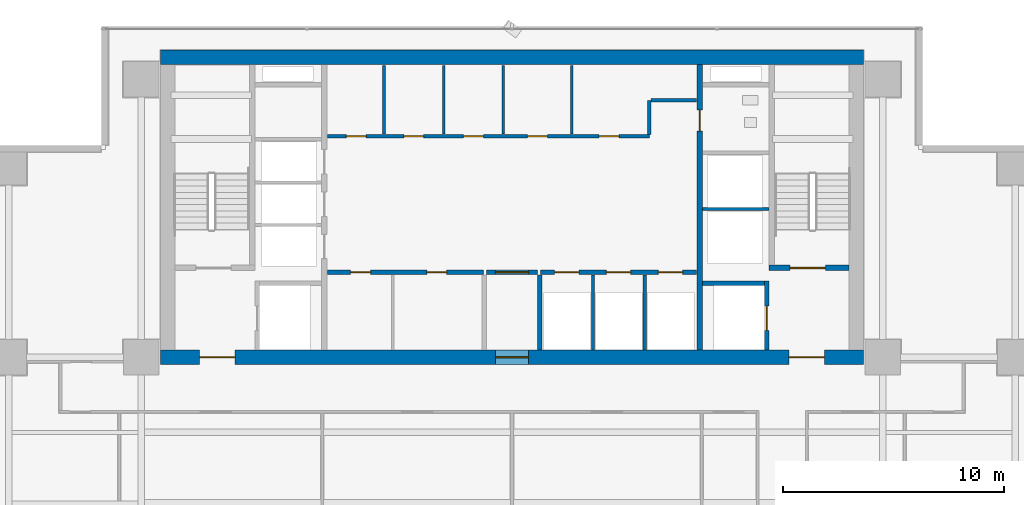
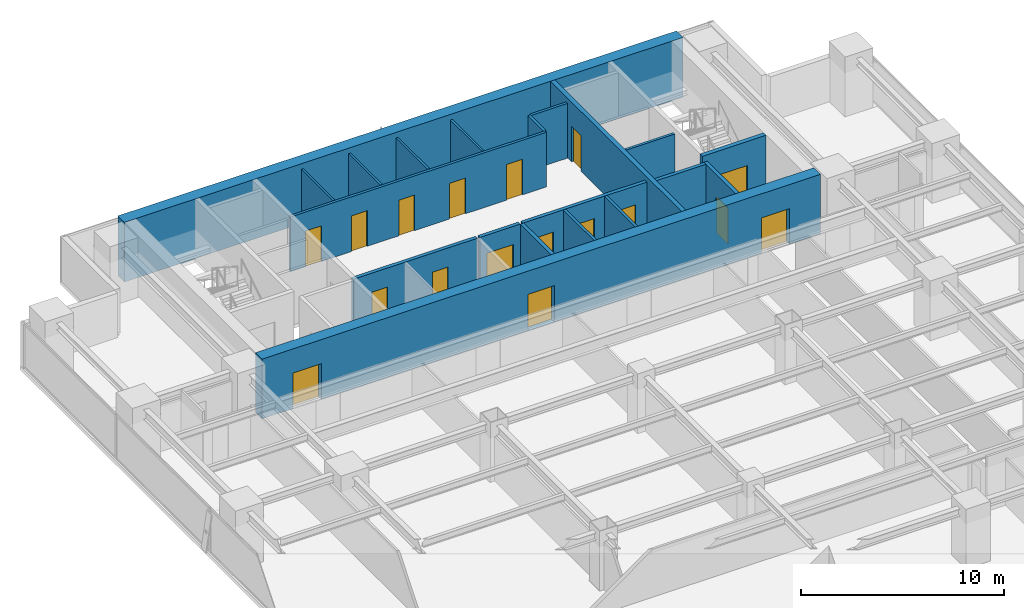
# One storey, part 22 of 28: 20 walls, 17 doors, 17 openings.
"""IFC4 building model written with IfcOpenShell, lengths in metres."""

from ifc_helpers import new_model, si_unit, direction, frame, frame_2d, origin, place, context, subcontext, project, spatial, rectangle, extrude, source, transform, mapped, material, layer, layer_set, type_object, element, fill, save


model = new_model("IFC4")

# Units and contexts
model_context = context("Model", 3, precision=1e-05, world=origin(), true_north=direction((0.0, 1.0)))
body_context = subcontext(model_context, "Body", "Model", "MODEL_VIEW")
ifc_project = project(units=[si_unit("LENGTHUNIT", "METRE"), si_unit("AREAUNIT", "SQUARE_METRE"), si_unit("VOLUMEUNIT", "CUBIC_METRE"), si_unit("PLANEANGLEUNIT", "RADIAN"), si_unit("MASSUNIT", "GRAM", prefix="KILO")], contexts=[model_context])

# Site, building, storey
site_placement = place(None, origin())
site = spatial("IfcSite", under=ifc_project, at=site_placement, CompositionType="ELEMENT")
building_placement = place(site_placement, origin())
building = spatial("IfcBuilding", under=site, at=building_placement, Name="Sumidabori Civic Tower", CompositionType="ELEMENT")
storey_placement = place(building_placement, frame((0.0, 0.0, 185.60009765625)))
storey = spatial("IfcBuildingStorey", under=building, at=storey_placement, Name="L48", CompositionType="ELEMENT", Elevation=185.60009765625)

# Walls
ifc_material_1 = material(Name="Concrete C50/60", Category="concrete")
ifc_layer_1 = layer(ifc_material_1, 0.199951171875, Name="Concrete C50/60")
ifc_layer_set_1 = layer_set([ifc_layer_1], Name="Concrete C50/60")
wall_type_1 = type_object("IfcWallType", Name="WL-SHAFT-200", PredefinedType="SHEAR", material=ifc_layer_set_1)
shared_shape_1 = source(origin(), body_context, "Body", "SweptSolid", [
    extrude(rectangle(XDim=2.824951171875, YDim=0.199951171875, at=frame_2d((1.41259765625, 0.0))), origin(), (0.0, 0.0, 1.0), 3.599853515625),
])
wall_1_placement = place(storey_placement, frame((8.625, 13.550048828125, 0.0), z_axis=(0.0, 0.0, 1.0), x_axis=(1.0, 0.0, 0.0)))
element("IfcWall", 1, at=wall_1_placement, inside=storey, type_object=wall_type_1, Name="Core Shear Wall L48 EL2-N", PredefinedType="SHEAR", context=body_context, shape_type="MappedRepresentation", body=[
    mapped(shared_shape_1, transform((0.0, 0.0, 0.0), x_axis=(1.0, 0.0, 0.0), y_axis=(0.0, 1.0, 0.0), z_axis=(0.0, 0.0, 1.0), scale=1.0)),
])
ifc_material_2 = material(Name="Concrete C60/75", Category="concrete")
ifc_layer_2 = layer(ifc_material_2, 0.64990234375, Name="Concrete C60/75")
ifc_layer_set_2 = layer_set([ifc_layer_2], Name="Concrete C60/75")
wall_type_2 = type_object("IfcWallType", Name="WL-CORE-650", PredefinedType="SHEAR", material=ifc_layer_set_2)
shared_shape_2 = source(origin(), body_context, "Body", "SweptSolid", [
    extrude(rectangle(XDim=31.85009765625, YDim=0.64990234375, at=frame_2d((15.925048828125, 0.0))), origin(), (0.0, 0.0, 1.0), 3.599853515625),
])
wall_2_placement = place(storey_placement, frame((-15.925048828125, 23.800048828125, 0.0), z_axis=(0.0, 0.0, 1.0), x_axis=(1.0, 0.0, 0.0)))
element("IfcWall", 2, at=wall_2_placement, inside=storey, type_object=wall_type_2, Name="Core Shear Wall L48 N", PredefinedType="SHEAR", context=body_context, shape_type="MappedRepresentation", body=[
    mapped(shared_shape_2, transform((0.0, 0.0, 0.0), x_axis=(1.0, 0.0, 0.0), y_axis=(0.0, 1.0, 0.0), z_axis=(0.0, 0.0, 1.0), scale=1.0)),
])

# Wall, openings, doors
wall_3_placement = place(storey_placement, frame((-15.925048828125, 10.199951171875, 0.0), z_axis=(0.0, 0.0, 1.0), x_axis=(1.0, 0.0, 0.0)))
wall_3 = element("IfcWall", 3, at=wall_3_placement, inside=storey, type_object=wall_type_2, Name="Core Shear Wall L48 S", PredefinedType="SHEAR", context=body_context, shape_type="MappedRepresentation", body=[
    mapped(shared_shape_2, transform((0.0, 0.0, 0.0), x_axis=(1.0, 0.0, 0.0), y_axis=(0.0, 1.0, 0.0), z_axis=(0.0, 0.0, 1.0), scale=1.0)),
])
opening_1_placement = place(wall_3_placement, frame((1.77490234375, 0.0, 0.0)))
opening_1 = element("IfcOpeningElement", 4, at=opening_1_placement, cuts=wall_3, Name="Opening DR-FD4", PredefinedType="OPENING", context=body_context, shape_type="SweptSolid", body=[
    extrude(rectangle(XDim=1.60009765625, YDim=2.14990234375, at=frame_2d((0.800048828125, 1.074951171875))), frame((0.0, 0.3369140625, 0.0), z_axis=(0.0, -1.0, 0.0), x_axis=(1.0, 0.0, 0.0)), (0.0, 0.0, 1.0), 0.673828125),
])
opening_2_placement = place(wall_3_placement, frame((28.47509765625, 0.0, 0.0)))
opening_2 = element("IfcOpeningElement", 5, at=opening_2_placement, cuts=wall_3, Name="Opening DR-FD4", PredefinedType="OPENING", context=body_context, shape_type="SweptSolid", body=[
    extrude(rectangle(XDim=1.60009765625, YDim=2.14990234375, at=frame_2d((0.800048828125, 1.074951171875))), frame((0.0, 0.3369140625, 0.0), z_axis=(0.0, -1.0, 0.0), x_axis=(1.0, 0.0, 0.0)), (0.0, 0.0, 1.0), 0.673828125),
])
opening_3_placement = place(wall_3_placement, frame((15.175048828125, 0.0, 0.0)))
opening_3 = element("IfcOpeningElement", 6, at=opening_3_placement, cuts=wall_3, Name="Opening DR-FD3", PredefinedType="OPENING", context=body_context, shape_type="SweptSolid", body=[
    extrude(rectangle(XDim=1.5, YDim=2.199951171875, at=frame_2d((0.75, 1.10009765625))), frame((0.0, 0.3369140625, 0.0), z_axis=(0.0, -1.0, 0.0), x_axis=(1.0, 0.0, 0.0)), (0.0, 0.0, 1.0), 0.673828125),
])
ifc_material_3 = material(Name="Steel SN490", Category="steel")
door_type_1 = type_object("IfcDoorType", Name="DR-FD4", OperationType="DOUBLE_DOOR_SINGLE_SWING", PredefinedType="DOOR", material=ifc_material_3)
shared_shape_3 = source(origin(), body_context, "Body", "SweptSolid", [
    extrude(rectangle(XDim=1.60009765625, YDim=2.14990234375, at=frame_2d((0.800048828125, 1.074951171875))), frame((0.0, 0.02490234375, 0.0), z_axis=(0.0, -1.0, 0.0), x_axis=(1.0, 0.0, 0.0)), (0.0, 0.0, 1.0), 0.050048828125),
])
door_1_placement = place(opening_1_placement, origin())
door_1 = element("IfcDoor", 7, at=door_1_placement, inside=storey, type_object=door_type_1, Name="Door DR:L48:ELOB-W", OperationType="DOUBLE_DOOR_SINGLE_SWING", OverallHeight=2.14990234375, OverallWidth=1.60009765625, PredefinedType="DOOR", context=body_context, shape_type="MappedRepresentation", body=[
    mapped(shared_shape_3, transform((0.0, 0.0, 0.0), x_axis=(1.0, 0.0, 0.0), y_axis=(0.0, 1.0, 0.0), z_axis=(0.0, 0.0, 1.0), scale=1.0)),
])
fill(opening_1, door_1)
door_2_placement = place(opening_2_placement, origin())
door_2 = element("IfcDoor", 8, at=door_2_placement, inside=storey, type_object=door_type_1, Name="Door DR:L48:ELOB-E", OperationType="DOUBLE_DOOR_SINGLE_SWING", OverallHeight=2.14990234375, OverallWidth=1.60009765625, PredefinedType="DOOR", context=body_context, shape_type="MappedRepresentation", body=[
    mapped(shared_shape_3, transform((0.0, 0.0, 0.0), x_axis=(1.0, 0.0, 0.0), y_axis=(0.0, 1.0, 0.0), z_axis=(0.0, 0.0, 1.0), scale=1.0)),
])
fill(opening_2, door_2)
door_type_2 = type_object("IfcDoorType", Name="DR-FD-DBL", OperationType="DOUBLE_DOOR_SINGLE_SWING", PredefinedType="DOOR", material=ifc_material_3)
shared_shape_4 = source(origin(), body_context, "Body", "SweptSolid", [
    extrude(rectangle(XDim=1.5, YDim=2.199951171875, at=frame_2d((0.75, 1.10009765625))), frame((0.0, 0.02490234375, 0.0), z_axis=(0.0, -1.0, 0.0), x_axis=(1.0, 0.0, 0.0)), (0.0, 0.0, 1.0), 0.050048828125),
])
door_3_placement = place(opening_3_placement, origin())
door_3 = element("IfcDoor", 9, at=door_3_placement, inside=storey, type_object=door_type_2, Name="Door DR:L48:THROAT-OUT", OperationType="DOUBLE_DOOR_SINGLE_SWING", OverallHeight=2.199951171875, OverallWidth=1.5, PredefinedType="DOOR", context=body_context, shape_type="MappedRepresentation", body=[
    mapped(shared_shape_4, transform((0.0, 0.0, 0.0), x_axis=(1.0, 0.0, 0.0), y_axis=(0.0, 1.0, 0.0), z_axis=(0.0, 0.0, 1.0), scale=1.0)),
])
fill(opening_3, door_3)

# Wall, opening, door
ifc_layer_3 = layer(ifc_material_1, 0.25, Name="Concrete C50/60")
ifc_layer_set_3 = layer_set([ifc_layer_3], Name="Concrete C50/60")
wall_type_3 = type_object("IfcWallType", Name="WL-SHAFT-250", PredefinedType="SHEAR", material=ifc_layer_set_3)
shared_shape_5 = source(origin(), body_context, "Body", "SweptSolid", [
    extrude(rectangle(XDim=12.9501953125, YDim=0.25, at=frame_2d((6.47509765625, 0.0))), origin(), (0.0, 0.0, 1.0), 3.599853515625),
])
wall_4_placement = place(storey_placement, frame((8.5, 10.52490234375, 0.0), z_axis=(0.0, 0.0, 1.0), x_axis=(0.0, 1.0, 0.0)))
wall_4 = element("IfcWall", 10, at=wall_4_placement, inside=storey, type_object=wall_type_3, Name="Core Shear Wall L48 WEB-E", PredefinedType="SHEAR", context=body_context, shape_type="MappedRepresentation", body=[
    mapped(shared_shape_5, transform((0.0, 0.0, 0.0), x_axis=(1.0, 0.0, 0.0), y_axis=(0.0, 1.0, 0.0), z_axis=(0.0, 0.0, 1.0), scale=1.0)),
])
opening_4_placement = place(wall_4_placement, frame((9.925048828125, 0.0, 0.0)))
opening_4 = element("IfcOpeningElement", 11, at=opening_4_placement, cuts=wall_4, Name="Opening DR-2", PredefinedType="OPENING", context=body_context, shape_type="SweptSolid", body=[
    extrude(rectangle(XDim=0.949951171875, YDim=2.14990234375, at=frame_2d((0.47509765625, 1.074951171875))), frame((0.0, 0.136962890625, 0.0), z_axis=(0.0, -1.0, 0.0), x_axis=(1.0, 0.0, 0.0)), (0.0, 0.0, 1.0), 0.27392578125),
])
ifc_material_4 = material(Name="Japanese Hinoki Timber", Category="wood")
door_type_3 = type_object("IfcDoorType", Name="DR-INT-950", OperationType="NOTDEFINED", PredefinedType="DOOR", material=ifc_material_4)
shared_shape_6 = source(origin(), body_context, "Body", "SweptSolid", [
    extrude(rectangle(XDim=0.949951171875, YDim=2.14990234375, at=frame_2d((0.47509765625, 1.074951171875))), frame((0.0, 0.02490234375, 0.0), z_axis=(0.0, -1.0, 0.0), x_axis=(1.0, 0.0, 0.0)), (0.0, 0.0, 1.0), 0.050048828125),
])
door_4_placement = place(opening_4_placement, origin())
door_4 = element("IfcDoor", 12, at=door_4_placement, inside=storey, type_object=door_type_3, Name="Door DR:L48:WC-ACC", OperationType="SINGLE_SWING_RIGHT", OverallHeight=2.14990234375, OverallWidth=0.949951171875, PredefinedType="DOOR", context=body_context, shape_type="MappedRepresentation", body=[
    mapped(shared_shape_6, transform((0.0, 0.0, 0.0), x_axis=(1.0, 0.0, 0.0), y_axis=(0.0, 1.0, 0.0), z_axis=(0.0, 0.0, 1.0), scale=1.0)),
])
fill(opening_4, door_4)

shared_shape_7 = source(origin(), body_context, "Body", "SweptSolid", [
    extrude(rectangle(XDim=3.6298828125, YDim=0.25, at=frame_2d((1.81494140625, 0.0))), origin(), (0.0, 0.0, 1.0), 3.599853515625),
])
wall_5_placement = place(storey_placement, frame((11.64501953125, 14.25, 0.0), z_axis=(0.0, 0.0, 1.0), x_axis=(1.0, 0.0, 0.0)))
wall_5 = element("IfcWall", 13, at=wall_5_placement, inside=storey, type_object=wall_type_3, Name="Core Shear Wall L48 ST2-S", PredefinedType="SHEAR", context=body_context, shape_type="MappedRepresentation", body=[
    mapped(shared_shape_7, transform((0.0, 0.0, 0.0), x_axis=(1.0, 0.0, 0.0), y_axis=(0.0, 1.0, 0.0), z_axis=(0.0, 0.0, 1.0), scale=1.0)),
])
opening_5_placement = place(wall_5_placement, frame((0.949951171875, 0.0, 0.0)))
opening_5 = element("IfcOpeningElement", 14, at=opening_5_placement, cuts=wall_5, Name="Opening DR-FD4", PredefinedType="OPENING", context=body_context, shape_type="SweptSolid", body=[
    extrude(rectangle(XDim=1.60009765625, YDim=2.14990234375, at=frame_2d((0.800048828125, 1.074951171875))), frame((0.0, 0.136962890625, 0.0), z_axis=(0.0, -1.0, 0.0), x_axis=(1.0, 0.0, 0.0)), (0.0, 0.0, 1.0), 0.27392578125),
])
door_5_placement = place(opening_5_placement, origin())
door_5 = element("IfcDoor", 15, at=door_5_placement, inside=storey, type_object=door_type_1, Name="Door DR:L48:ST2", OperationType="DOUBLE_DOOR_SINGLE_SWING", OverallHeight=2.14990234375, OverallWidth=1.60009765625, PredefinedType="DOOR", context=body_context, shape_type="MappedRepresentation", body=[
    mapped(shared_shape_3, transform((0.0, 0.0, 0.0), x_axis=(1.0, 0.0, 0.0), y_axis=(0.0, 1.0, 0.0), z_axis=(0.0, 0.0, 1.0), scale=1.0)),
])
fill(opening_5, door_5)

shared_shape_8 = source(origin(), body_context, "Body", "SweptSolid", [
    extrude(rectangle(XDim=3.125, YDim=0.199951171875, at=frame_2d((1.5625, 0.0))), origin(), (0.0, 0.0, 1.0), 3.599853515625),
])
wall_6_placement = place(storey_placement, frame((11.550048828125, 10.52490234375, 0.0), z_axis=(0.0, 0.0, 1.0), x_axis=(0.0, 1.0, 0.0)))
wall_6 = element("IfcWall", 16, at=wall_6_placement, inside=storey, type_object=wall_type_1, Name="Core Shear Wall L48 EL2-E", PredefinedType="SHEAR", context=body_context, shape_type="MappedRepresentation", body=[
    mapped(shared_shape_8, transform((0.0, 0.0, 0.0), x_axis=(1.0, 0.0, 0.0), y_axis=(0.0, 1.0, 0.0), z_axis=(0.0, 0.0, 1.0), scale=1.0)),
])
opening_6_placement = place(wall_6_placement, frame((0.89990234375, 0.0, 0.0)))
opening_6 = element("IfcOpeningElement", 17, at=opening_6_placement, cuts=wall_6, Name="Opening LD-2", PredefinedType="OPENING", context=body_context, shape_type="SweptSolid", body=[
    extrude(rectangle(XDim=1.10009765625, YDim=2.14990234375, at=frame_2d((0.550048828125, 1.074951171875))), frame((0.0, 0.11181640625, 0.0), z_axis=(0.0, -1.0, 0.0), x_axis=(1.0, 0.0, 0.0)), (0.0, 0.0, 1.0), 0.223876953125),
])
ifc_material_5 = material(Name="Stainless Steel Hairline Finish", Category="steel")
door_type_4 = type_object("IfcDoorType", Name="DR-LD2", OperationType="DOUBLE_DOOR_SLIDING", PredefinedType="DOOR", material=ifc_material_5)
shared_shape_9 = source(origin(), body_context, "Body", "SweptSolid", [
    extrude(rectangle(XDim=1.10009765625, YDim=2.14990234375, at=frame_2d((0.550048828125, 1.074951171875))), frame((0.0, 0.02490234375, 0.0), z_axis=(0.0, -1.0, 0.0), x_axis=(1.0, 0.0, 0.0)), (0.0, 0.0, 1.0), 0.050048828125),
])
door_6_placement = place(opening_6_placement, origin())
door_6 = element("IfcDoor", 18, at=door_6_placement, inside=storey, type_object=door_type_4, Name="Door DR:L48:LD-EL2", OperationType="DOUBLE_DOOR_SLIDING", OverallHeight=2.14990234375, OverallWidth=1.10009765625, PredefinedType="DOOR", context=body_context, shape_type="MappedRepresentation", body=[
    mapped(shared_shape_9, transform((0.0, 0.0, 0.0), x_axis=(1.0, 0.0, 0.0), y_axis=(0.0, 1.0, 0.0), z_axis=(0.0, 0.0, 1.0), scale=1.0)),
])
fill(opening_6, door_6)

# Wall
ifc_material_6 = material(Name="Gypsum Plasterboard Acoustic Partition")
ifc_layer_4 = layer(ifc_material_6, 0.14990234375, Name="Gypsum Plasterboard Acoustic Partition")
ifc_layer_set_4 = layer_set([ifc_layer_4], Name="Gypsum Plasterboard Acoustic Partition")
wall_type_4 = type_object("IfcWallType", Name="WL-PART-150", PredefinedType="PARTITIONING", material=ifc_layer_set_4)
shared_shape_10 = source(origin(), body_context, "Body", "SweptSolid", [
    extrude(rectangle(XDim=3.010009765625, YDim=0.14990234375, at=frame_2d((1.5048828125, 0.0))), origin(), (0.0, 0.0, 1.0), 3.2998046875),
])
wall_7_placement = place(storey_placement, frame((8.6298828125, 16.919921875, 0.0), z_axis=(0.0, 0.0, 1.0), x_axis=(1.0, 0.0, 0.0)))
element("IfcWall", 19, at=wall_7_placement, inside=storey, type_object=wall_type_4, Name="Interior Partition WL:L48:DIV-OBS1", PredefinedType="PARTITIONING", context=body_context, shape_type="MappedRepresentation", body=[
    mapped(shared_shape_10, transform((0.0, 0.0, 0.0), x_axis=(1.0, 0.0, 0.0), y_axis=(0.0, 1.0, 0.0), z_axis=(0.0, 0.0, 1.0), scale=1.0)),
])

# Wall, openings, doors
ifc_material_7 = material(Name="Gypsum Plasterboard Fire Partition")
ifc_layer_5 = layer(ifc_material_7, 0.199951171875, Name="Gypsum Plasterboard Fire Partition")
ifc_layer_set_5 = layer_set([ifc_layer_5], Name="Gypsum Plasterboard Fire Partition")
wall_type_5 = type_object("IfcWallType", Name="WL-PART-FIRE", PredefinedType="PARTITIONING", material=ifc_layer_set_5)
shared_shape_11 = source(origin(), body_context, "Body", "SweptSolid", [
    extrude(rectangle(XDim=7.070068359375, YDim=0.199951171875, at=frame_2d((3.53515625, 0.0))), origin(), (0.0, 0.0, 1.0), 3.2998046875),
])
wall_8_placement = place(storey_placement, frame((-8.3701171875, 14.050048828125, 0.0), z_axis=(0.0, 0.0, 1.0), x_axis=(1.0, 0.0, 0.0)))
wall_8 = element("IfcWall", 20, at=wall_8_placement, inside=storey, type_object=wall_type_5, Name="Interior Partition WL:L48:CBAND-SW", PredefinedType="PARTITIONING", context=body_context, shape_type="MappedRepresentation", body=[
    mapped(shared_shape_11, transform((0.0, 0.0, 0.0), x_axis=(1.0, 0.0, 0.0), y_axis=(0.0, 1.0, 0.0), z_axis=(0.0, 0.0, 1.0), scale=1.0)),
])
opening_7_placement = place(wall_8_placement, frame((1.06005859375, 0.0, 0.0)))
opening_7 = element("IfcOpeningElement", 21, at=opening_7_placement, cuts=wall_8, Name="Opening DR-1", PredefinedType="OPENING", context=body_context, shape_type="SweptSolid", body=[
    extrude(rectangle(XDim=0.89990234375, YDim=2.14990234375, at=frame_2d((0.449951171875, 1.074951171875))), frame((0.0, 0.11181640625, 0.0), z_axis=(0.0, -1.0, 0.0), x_axis=(1.0, 0.0, 0.0)), (0.0, 0.0, 1.0), 0.223876953125),
])
opening_8_placement = place(wall_8_placement, frame((4.510009765625, 0.0, 0.0)))
opening_8 = element("IfcOpeningElement", 22, at=opening_8_placement, cuts=wall_8, Name="Opening DR-1", PredefinedType="OPENING", context=body_context, shape_type="SweptSolid", body=[
    extrude(rectangle(XDim=0.89990234375, YDim=2.14990234375, at=frame_2d((0.449951171875, 1.074951171875))), frame((0.0, 0.11181640625, 0.0), z_axis=(0.0, -1.0, 0.0), x_axis=(1.0, 0.0, 0.0)), (0.0, 0.0, 1.0), 0.223876953125),
])
door_type_5 = type_object("IfcDoorType", Name="DR-INT-900", OperationType="NOTDEFINED", PredefinedType="DOOR", material=ifc_material_4)
shared_shape_12 = source(origin(), body_context, "Body", "SweptSolid", [
    extrude(rectangle(XDim=0.89990234375, YDim=2.14990234375, at=frame_2d((0.449951171875, 1.074951171875))), frame((0.0, 0.02490234375, 0.0), z_axis=(0.0, -1.0, 0.0), x_axis=(1.0, 0.0, 0.0)), (0.0, 0.0, 1.0), 0.050048828125),
])
door_7_placement = place(opening_7_placement, origin())
door_7 = element("IfcDoor", 23, at=door_7_placement, inside=storey, type_object=door_type_5, Name="Door DR:L48:REC-B1A", OperationType="SINGLE_SWING_LEFT", OverallHeight=2.14990234375, OverallWidth=0.89990234375, PredefinedType="DOOR", context=body_context, shape_type="MappedRepresentation", body=[
    mapped(shared_shape_12, transform((0.0, 0.0, 0.0), x_axis=(1.0, 0.0, 0.0), y_axis=(0.0, 1.0, 0.0), z_axis=(0.0, 0.0, 1.0), scale=1.0)),
])
fill(opening_7, door_7)
door_8_placement = place(opening_8_placement, origin())
door_8 = element("IfcDoor", 24, at=door_8_placement, inside=storey, type_object=door_type_5, Name="Door DR:L48:REC-B1B", OperationType="SINGLE_SWING_RIGHT", OverallHeight=2.14990234375, OverallWidth=0.89990234375, PredefinedType="DOOR", context=body_context, shape_type="MappedRepresentation", body=[
    mapped(shared_shape_12, transform((0.0, 0.0, 0.0), x_axis=(1.0, 0.0, 0.0), y_axis=(0.0, 1.0, 0.0), z_axis=(0.0, 0.0, 1.0), scale=1.0)),
])
fill(opening_8, door_8)

wall_9_placement = place(storey_placement, frame((1.300048828125, 14.050048828125, 0.0), z_axis=(0.0, 0.0, 1.0), x_axis=(1.0, 0.0, 0.0)))
wall_9 = element("IfcWall", 25, at=wall_9_placement, inside=storey, type_object=wall_type_5, Name="Interior Partition WL:L48:CBAND-SE", PredefinedType="PARTITIONING", context=body_context, shape_type="MappedRepresentation", body=[
    mapped(shared_shape_11, transform((0.0, 0.0, 0.0), x_axis=(1.0, 0.0, 0.0), y_axis=(0.0, 1.0, 0.0), z_axis=(0.0, 0.0, 1.0), scale=1.0)),
])
opening_9_placement = place(wall_9_placement, frame((0.6298828125, 0.0, 0.0)))
opening_9 = element("IfcOpeningElement", 26, at=opening_9_placement, cuts=wall_9, Name="Opening LD-1", PredefinedType="OPENING", context=body_context, shape_type="SweptSolid", body=[
    extrude(rectangle(XDim=1.10009765625, YDim=2.14990234375, at=frame_2d((0.550048828125, 1.074951171875))), frame((0.0, 0.11181640625, 0.0), z_axis=(0.0, -1.0, 0.0), x_axis=(1.0, 0.0, 0.0)), (0.0, 0.0, 1.0), 0.223876953125),
])
opening_10_placement = place(wall_9_placement, frame((2.97998046875, 0.0, 0.0)))
opening_10 = element("IfcOpeningElement", 27, at=opening_10_placement, cuts=wall_9, Name="Opening LD-1", PredefinedType="OPENING", context=body_context, shape_type="SweptSolid", body=[
    extrude(rectangle(XDim=1.10009765625, YDim=2.14990234375, at=frame_2d((0.550048828125, 1.074951171875))), frame((0.0, 0.11181640625, 0.0), z_axis=(0.0, -1.0, 0.0), x_axis=(1.0, 0.0, 0.0)), (0.0, 0.0, 1.0), 0.223876953125),
])
opening_11_placement = place(wall_9_placement, frame((5.330078125, 0.0, 0.0)))
opening_11 = element("IfcOpeningElement", 28, at=opening_11_placement, cuts=wall_9, Name="Opening LD-1", PredefinedType="OPENING", context=body_context, shape_type="SweptSolid", body=[
    extrude(rectangle(XDim=1.10009765625, YDim=2.14990234375, at=frame_2d((0.550048828125, 1.074951171875))), frame((0.0, 0.11181640625, 0.0), z_axis=(0.0, -1.0, 0.0), x_axis=(1.0, 0.0, 0.0)), (0.0, 0.0, 1.0), 0.223876953125),
])
door_type_6 = type_object("IfcDoorType", Name="DR-LD1", OperationType="DOUBLE_DOOR_SLIDING", PredefinedType="DOOR", material=ifc_material_5)
door_9_placement = place(opening_9_placement, origin())
door_9 = element("IfcDoor", 29, at=door_9_placement, inside=storey, type_object=door_type_6, Name="Door DR:L48:LD-PLM1", OperationType="DOUBLE_DOOR_SLIDING", OverallHeight=2.14990234375, OverallWidth=1.10009765625, PredefinedType="DOOR", context=body_context, shape_type="MappedRepresentation", body=[
    mapped(shared_shape_9, transform((0.0, 0.0, 0.0), x_axis=(1.0, 0.0, 0.0), y_axis=(0.0, 1.0, 0.0), z_axis=(0.0, 0.0, 1.0), scale=1.0)),
])
fill(opening_9, door_9)
door_10_placement = place(opening_10_placement, origin())
door_10 = element("IfcDoor", 30, at=door_10_placement, inside=storey, type_object=door_type_6, Name="Door DR:L48:LD-PLM2", OperationType="DOUBLE_DOOR_SLIDING", OverallHeight=2.14990234375, OverallWidth=1.10009765625, PredefinedType="DOOR", context=body_context, shape_type="MappedRepresentation", body=[
    mapped(shared_shape_9, transform((0.0, 0.0, 0.0), x_axis=(1.0, 0.0, 0.0), y_axis=(0.0, 1.0, 0.0), z_axis=(0.0, 0.0, 1.0), scale=1.0)),
])
fill(opening_10, door_10)
door_11_placement = place(opening_11_placement, origin())
door_11 = element("IfcDoor", 31, at=door_11_placement, inside=storey, type_object=door_type_6, Name="Door DR:L48:LD-PLM3", OperationType="DOUBLE_DOOR_SLIDING", OverallHeight=2.14990234375, OverallWidth=1.10009765625, PredefinedType="DOOR", context=body_context, shape_type="MappedRepresentation", body=[
    mapped(shared_shape_9, transform((0.0, 0.0, 0.0), x_axis=(1.0, 0.0, 0.0), y_axis=(0.0, 1.0, 0.0), z_axis=(0.0, 0.0, 1.0), scale=1.0)),
])
fill(opening_11, door_11)

# Wall
shared_shape_13 = source(origin(), body_context, "Body", "SweptSolid", [
    extrude(rectangle(XDim=3.4150390625, YDim=0.199951171875, at=frame_2d((1.70751953125, 0.0))), origin(), (0.0, 0.0, 1.0), 3.2998046875),
])
wall_10_placement = place(storey_placement, frame((1.25, 10.52490234375, 0.0), z_axis=(0.0, 0.0, 1.0), x_axis=(0.0, 1.0, 0.0)))
element("IfcWall", 32, at=wall_10_placement, inside=storey, type_object=wall_type_5, Name="Interior Partition WL:L48:THROAT-E", PredefinedType="PARTITIONING", context=body_context, shape_type="MappedRepresentation", body=[
    mapped(shared_shape_13, transform((0.0, 0.0, 0.0), x_axis=(1.0, 0.0, 0.0), y_axis=(0.0, 1.0, 0.0), z_axis=(0.0, 0.0, 1.0), scale=1.0)),
])

# Wall, opening, door
shared_shape_14 = source(origin(), body_context, "Body", "SweptSolid", [
    extrude(rectangle(XDim=2.2998046875, YDim=0.199951171875, at=frame_2d((1.14990234375, 0.0))), origin(), (0.0, 0.0, 1.0), 3.2998046875),
])
wall_11_placement = place(storey_placement, frame((-1.14990234375, 14.050048828125, 0.0), z_axis=(0.0, 0.0, 1.0), x_axis=(1.0, 0.0, 0.0)))
wall_11 = element("IfcWall", 33, at=wall_11_placement, inside=storey, type_object=wall_type_5, Name="Interior Partition WL:L48:THROAT-N", PredefinedType="PARTITIONING", context=body_context, shape_type="MappedRepresentation", body=[
    mapped(shared_shape_14, transform((0.0, 0.0, 0.0), x_axis=(1.0, 0.0, 0.0), y_axis=(0.0, 1.0, 0.0), z_axis=(0.0, 0.0, 1.0), scale=1.0)),
])
opening_12_placement = place(wall_11_placement, frame((0.39990234375, 0.0, 0.0)))
opening_12 = element("IfcOpeningElement", 34, at=opening_12_placement, cuts=wall_11, Name="Opening DR-FD3", PredefinedType="OPENING", context=body_context, shape_type="SweptSolid", body=[
    extrude(rectangle(XDim=1.5, YDim=2.199951171875, at=frame_2d((0.75, 1.10009765625))), frame((0.0, 0.11181640625, 0.0), z_axis=(0.0, -1.0, 0.0), x_axis=(1.0, 0.0, 0.0)), (0.0, 0.0, 1.0), 0.223876953125),
])
door_12_placement = place(opening_12_placement, origin())
door_12 = element("IfcDoor", 35, at=door_12_placement, inside=storey, type_object=door_type_2, Name="Door DR:L48:THROAT-IN", OperationType="DOUBLE_DOOR_SINGLE_SWING", OverallHeight=2.199951171875, OverallWidth=1.5, PredefinedType="DOOR", context=body_context, shape_type="MappedRepresentation", body=[
    mapped(shared_shape_4, transform((0.0, 0.0, 0.0), x_axis=(1.0, 0.0, 0.0), y_axis=(0.0, 1.0, 0.0), z_axis=(0.0, 0.0, 1.0), scale=1.0)),
])
fill(opening_12, door_12)

# Wall, openings, doors
shared_shape_15 = source(origin(), body_context, "Body", "SweptSolid", [
    extrude(rectangle(XDim=14.590087890625, YDim=0.14990234375, at=frame_2d((7.294921875, 0.0))), origin(), (0.0, 0.0, 1.0), 3.2998046875),
])
wall_12_placement = place(storey_placement, frame((-8.3701171875, 20.219970703125, 0.0), z_axis=(0.0, 0.0, 1.0), x_axis=(1.0, 0.0, 0.0)))
wall_12 = element("IfcWall", 36, at=wall_12_placement, inside=storey, type_object=wall_type_4, Name="Interior Partition WL:L48:CBAND-M", PredefinedType="PARTITIONING", context=body_context, shape_type="MappedRepresentation", body=[
    mapped(shared_shape_15, transform((0.0, 0.0, 0.0), x_axis=(1.0, 0.0, 0.0), y_axis=(0.0, 1.0, 0.0), z_axis=(0.0, 0.0, 1.0), scale=1.0)),
])
opening_13_placement = place(wall_12_placement, frame((0.860107421875, 0.0, 0.0)))
opening_13 = element("IfcOpeningElement", 37, at=opening_13_placement, cuts=wall_12, Name="Opening DR-1", PredefinedType="OPENING", context=body_context, shape_type="SweptSolid", body=[
    extrude(rectangle(XDim=0.89990234375, YDim=2.14990234375, at=frame_2d((0.449951171875, 1.074951171875))), frame((0.0, 0.0869140625, 0.0), z_axis=(0.0, -1.0, 0.0), x_axis=(1.0, 0.0, 0.0)), (0.0, 0.0, 1.0), 0.173828125),
])
opening_14_placement = place(wall_12_placement, frame((3.469970703125, 0.0, 0.0)))
opening_14 = element("IfcOpeningElement", 38, at=opening_14_placement, cuts=wall_12, Name="Opening DR-1", PredefinedType="OPENING", context=body_context, shape_type="SweptSolid", body=[
    extrude(rectangle(XDim=0.89990234375, YDim=2.14990234375, at=frame_2d((0.449951171875, 1.074951171875))), frame((0.0, 0.0869140625, 0.0), z_axis=(0.0, -1.0, 0.0), x_axis=(1.0, 0.0, 0.0)), (0.0, 0.0, 1.0), 0.173828125),
])
opening_15_placement = place(wall_12_placement, frame((6.169921875, 0.0, 0.0)))
opening_15 = element("IfcOpeningElement", 39, at=opening_15_placement, cuts=wall_12, Name="Opening DR-1", PredefinedType="OPENING", context=body_context, shape_type="SweptSolid", body=[
    extrude(rectangle(XDim=0.89990234375, YDim=2.14990234375, at=frame_2d((0.449951171875, 1.074951171875))), frame((0.0, 0.0869140625, 0.0), z_axis=(0.0, -1.0, 0.0), x_axis=(1.0, 0.0, 0.0)), (0.0, 0.0, 1.0), 0.173828125),
])
opening_16_placement = place(wall_12_placement, frame((9.070068359375, 0.0, 0.0)))
opening_16 = element("IfcOpeningElement", 40, at=opening_16_placement, cuts=wall_12, Name="Opening DR-1", PredefinedType="OPENING", context=body_context, shape_type="SweptSolid", body=[
    extrude(rectangle(XDim=0.89990234375, YDim=2.14990234375, at=frame_2d((0.449951171875, 1.074951171875))), frame((0.0, 0.0869140625, 0.0), z_axis=(0.0, -1.0, 0.0), x_axis=(1.0, 0.0, 0.0)), (0.0, 0.0, 1.0), 0.173828125),
])
opening_17_placement = place(wall_12_placement, frame((12.320068359375, 0.0, 0.0)))
opening_17 = element("IfcOpeningElement", 41, at=opening_17_placement, cuts=wall_12, Name="Opening DR-1", PredefinedType="OPENING", context=body_context, shape_type="SweptSolid", body=[
    extrude(rectangle(XDim=0.89990234375, YDim=2.14990234375, at=frame_2d((0.449951171875, 1.074951171875))), frame((0.0, 0.0869140625, 0.0), z_axis=(0.0, -1.0, 0.0), x_axis=(1.0, 0.0, 0.0)), (0.0, 0.0, 1.0), 0.173828125),
])
door_13_placement = place(opening_13_placement, origin())
door_13 = element("IfcDoor", 42, at=door_13_placement, inside=storey, type_object=door_type_5, Name="Door DR:L48:CB-1", OperationType="SINGLE_SWING_LEFT", OverallHeight=2.14990234375, OverallWidth=0.89990234375, PredefinedType="DOOR", context=body_context, shape_type="MappedRepresentation", body=[
    mapped(shared_shape_12, transform((0.0, 0.0, 0.0), x_axis=(1.0, 0.0, 0.0), y_axis=(0.0, 1.0, 0.0), z_axis=(0.0, 0.0, 1.0), scale=1.0)),
])
fill(opening_13, door_13)
door_14_placement = place(opening_14_placement, origin())
door_14 = element("IfcDoor", 43, at=door_14_placement, inside=storey, type_object=door_type_5, Name="Door DR:L48:CB-2", OperationType="SINGLE_SWING_RIGHT", OverallHeight=2.14990234375, OverallWidth=0.89990234375, PredefinedType="DOOR", context=body_context, shape_type="MappedRepresentation", body=[
    mapped(shared_shape_12, transform((0.0, 0.0, 0.0), x_axis=(1.0, 0.0, 0.0), y_axis=(0.0, 1.0, 0.0), z_axis=(0.0, 0.0, 1.0), scale=1.0)),
])
fill(opening_14, door_14)
door_15_placement = place(opening_15_placement, origin())
door_15 = element("IfcDoor", 44, at=door_15_placement, inside=storey, type_object=door_type_5, Name="Door DR:L48:CB-3", OperationType="SINGLE_SWING_LEFT", OverallHeight=2.14990234375, OverallWidth=0.89990234375, PredefinedType="DOOR", context=body_context, shape_type="MappedRepresentation", body=[
    mapped(shared_shape_12, transform((0.0, 0.0, 0.0), x_axis=(1.0, 0.0, 0.0), y_axis=(0.0, 1.0, 0.0), z_axis=(0.0, 0.0, 1.0), scale=1.0)),
])
fill(opening_15, door_15)
door_16_placement = place(opening_16_placement, origin())
door_16 = element("IfcDoor", 45, at=door_16_placement, inside=storey, type_object=door_type_5, Name="Door DR:L48:CB-4", OperationType="SINGLE_SWING_RIGHT", OverallHeight=2.14990234375, OverallWidth=0.89990234375, PredefinedType="DOOR", context=body_context, shape_type="MappedRepresentation", body=[
    mapped(shared_shape_12, transform((0.0, 0.0, 0.0), x_axis=(1.0, 0.0, 0.0), y_axis=(0.0, 1.0, 0.0), z_axis=(0.0, 0.0, 1.0), scale=1.0)),
])
fill(opening_16, door_16)
door_17_placement = place(opening_17_placement, origin())
door_17 = element("IfcDoor", 46, at=door_17_placement, inside=storey, type_object=door_type_5, Name="Door DR:L48:CB-5", OperationType="SINGLE_SWING_LEFT", OverallHeight=2.14990234375, OverallWidth=0.89990234375, PredefinedType="DOOR", context=body_context, shape_type="MappedRepresentation", body=[
    mapped(shared_shape_12, transform((0.0, 0.0, 0.0), x_axis=(1.0, 0.0, 0.0), y_axis=(0.0, 1.0, 0.0), z_axis=(0.0, 0.0, 1.0), scale=1.0)),
])
fill(opening_17, door_17)

# Walls
shared_shape_16 = source(origin(), body_context, "Body", "SweptSolid", [
    extrude(rectangle(XDim=1.550048828125, YDim=0.14990234375, at=frame_2d((0.77490234375, 0.0))), origin(), (0.0, 0.0, 1.0), 3.2998046875),
])
wall_13_placement = place(storey_placement, frame((6.219970703125, 20.300048828125, 0.0), z_axis=(0.0, 0.0, 1.0), x_axis=(0.0, 1.0, 0.0)))
element("IfcWall", 47, at=wall_13_placement, inside=storey, type_object=wall_type_4, Name="Interior Partition WL:L48:CBAND-ME1", PredefinedType="PARTITIONING", context=body_context, shape_type="MappedRepresentation", body=[
    mapped(shared_shape_16, transform((0.0, 0.0, 0.0), x_axis=(1.0, 0.0, 0.0), y_axis=(0.0, 1.0, 0.0), z_axis=(0.0, 0.0, 1.0), scale=1.0)),
])
shared_shape_17 = source(origin(), body_context, "Body", "SweptSolid", [
    extrude(rectangle(XDim=2.070068359375, YDim=0.14990234375, at=frame_2d((1.03515625, 0.0))), origin(), (0.0, 0.0, 1.0), 3.2998046875),
])
wall_14_placement = place(storey_placement, frame((6.300048828125, 21.85009765625, 0.0), z_axis=(0.0, 0.0, 1.0), x_axis=(1.0, 0.0, 0.0)))
element("IfcWall", 48, at=wall_14_placement, inside=storey, type_object=wall_type_4, Name="Interior Partition WL:L48:CBAND-ME2", PredefinedType="PARTITIONING", context=body_context, shape_type="MappedRepresentation", body=[
    mapped(shared_shape_17, transform((0.0, 0.0, 0.0), x_axis=(1.0, 0.0, 0.0), y_axis=(0.0, 1.0, 0.0), z_axis=(0.0, 0.0, 1.0), scale=1.0)),
])
shared_shape_18 = source(origin(), body_context, "Body", "SweptSolid", [
    extrude(rectangle(XDim=3.4150390625, YDim=0.14990234375, at=frame_2d((1.70751953125, 0.0))), origin(), (0.0, 0.0, 1.0), 3.2998046875),
])
for number, where, z_axis, x_axis, name in (
    (49, (3.669921875, 10.52490234375, 0.0), (0.0, 0.0, 1.0), (0.0, 1.0, 0.0), "Interior Partition WL:L48:DIV-PLM1"),
    (50, (6.02001953125, 10.52490234375, 0.0), (0.0, 0.0, 1.0), (0.0, 1.0, 0.0), "Interior Partition WL:L48:DIV-PLM2"),
):
    element("IfcWall", number, at=place(storey_placement, frame(where, z_axis=z_axis, x_axis=x_axis)), inside=storey, type_object=wall_type_4, Name=name, PredefinedType="PARTITIONING", context=body_context, shape_type="MappedRepresentation", body=[
        mapped(shared_shape_18, transform((0.0, 0.0, 0.0), x_axis=(1.0, 0.0, 0.0), y_axis=(0.0, 1.0, 0.0), z_axis=(0.0, 0.0, 1.0), scale=1.0)),
    ])
ifc_layer_6 = layer(ifc_material_6, 0.1201171875, Name="Gypsum Plasterboard Acoustic Partition")
ifc_layer_set_6 = layer_set([ifc_layer_6], Name="Gypsum Plasterboard Acoustic Partition")
wall_type_6 = type_object("IfcWallType", Name="WL-PART-120", PredefinedType="PARTITIONING", material=ifc_layer_set_6)
shared_shape_19 = source(origin(), body_context, "Body", "SweptSolid", [
    extrude(rectangle(XDim=3.114990234375, YDim=0.1201171875, at=frame_2d((1.5576171875, 0.0))), origin(), (0.0, 0.0, 1.0), 3.2998046875),
])
for number, where, z_axis, x_axis, name in (
    (51, (-5.800048828125, 20.320068359375, 0.0), (0.0, 0.0, 1.0), (0.0, 1.0, 0.0), "Interior Partition WL:L48:LV8-S1"),
    (52, (-3.10009765625, 20.320068359375, 0.0), (0.0, 0.0, 1.0), (0.0, 1.0, 0.0), "Interior Partition WL:L48:LV8-S2"),
    (53, (-0.39990234375, 20.320068359375, 0.0), (0.0, 0.0, 1.0), (0.0, 1.0, 0.0), "Interior Partition WL:L48:LV8-S3"),
    (54, (2.699951171875, 20.320068359375, 0.0), (0.0, 0.0, 1.0), (0.0, 1.0, 0.0), "Interior Partition WL:L48:LV8-S4"),
):
    element("IfcWall", number, at=place(storey_placement, frame(where, z_axis=z_axis, x_axis=x_axis)), inside=storey, type_object=wall_type_6, Name=name, PredefinedType="PARTITIONING", context=body_context, shape_type="MappedRepresentation", body=[
        mapped(shared_shape_19, transform((0.0, 0.0, 0.0), x_axis=(1.0, 0.0, 0.0), y_axis=(0.0, 1.0, 0.0), z_axis=(0.0, 0.0, 1.0), scale=1.0)),
    ])

save(model, "model.ifc")
